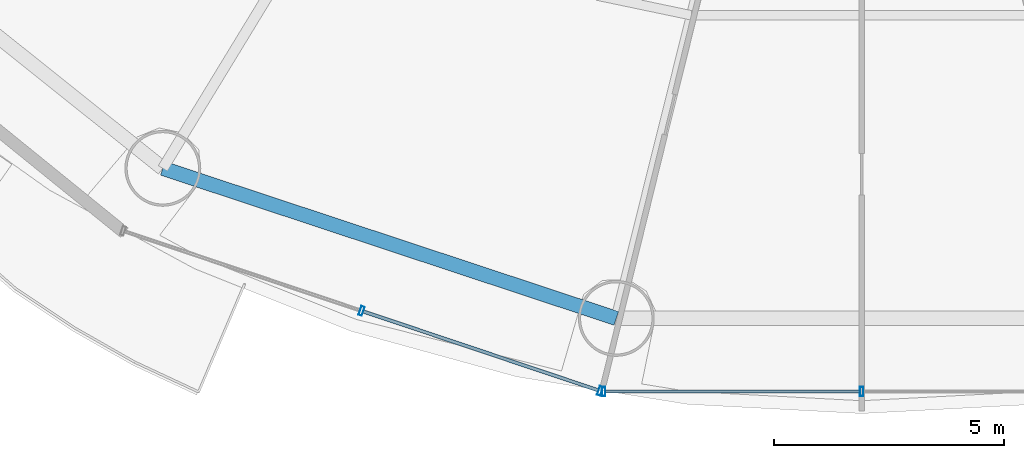
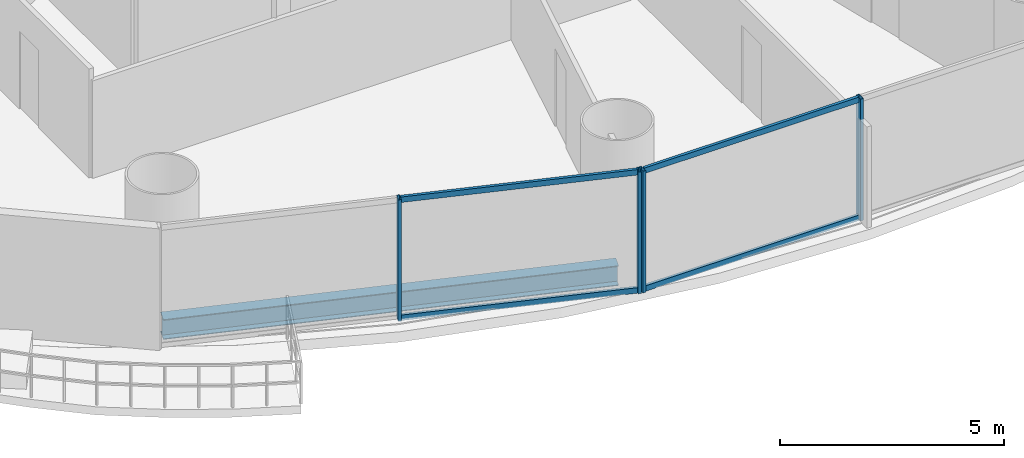
# One storey, part 5 of 30: 8 members, 1 beam, 2 elements without a shape of their own.
"""IFC4 building model written with IfcOpenShell, lengths in metres."""

import ifcopenshell
import ifcopenshell.guid

model = None  # the IFC model being written
_history = None  # IfcOwnerHistory: only IFC2X3 demands one
_inside = {}  # id of a spatial element -> (the spatial element, [elements in it])
_under = {}  # id of a project, library or spatial element -> (it, [spatial elements below it])
_declared = {}  # id of a project -> (the project, [libraries it declares])
_typed = {}  # id of a type object -> (the type object, [elements of that type])
_made_of = {}  # id of a material, layer set ... -> (it, [elements and type objects made of it])


def new_model(schema):
    """Start an empty IFC model of exactly this schema.

    Asked for "IFC4X3", IfcOpenShell would pick the latest addendum, in which some entities
    have other attributes; the version numbers below select the first issue.
    IFC2X3 requires an IfcOwnerHistory on every rooted entity: one is made here for all.
    """
    global model, _history
    if schema == "IFC4X3":
        model = ifcopenshell.file(schema_version=(4, 3, 0, 0))
    else:
        model = ifcopenshell.file(schema=schema)
    _inside.clear()
    _under.clear()
    _declared.clear()
    _typed.clear()
    _made_of.clear()
    _history = None
    if model.schema == "IFC2X3":
        org = make("IfcOrganization", Name="unknown")
        user = make(
            "IfcPersonAndOrganization",
            ThePerson=make("IfcPerson", FamilyName="unknown"),
            TheOrganization=org,
        )
        app = make(
            "IfcApplication",
            ApplicationDeveloper=org,
            Version="unknown",
            ApplicationFullName="unknown",
            ApplicationIdentifier="unknown",
        )
        _history = make(
            "IfcOwnerHistory",
            OwningUser=user,
            OwningApplication=app,
            ChangeAction="ADDED",
            CreationDate=0,
        )
    return model


def make(cls, **values):
    """One entity of the class cls with the attributes given. An attribute that is None is left unset."""
    return model.create_entity(
        cls, **{name: value for name, value in values.items() if value is not None}
    )


def rooted(cls, **values):
    """An entity with a GlobalId (a new one), such as an element, a storey or a relation."""
    return make(cls, GlobalId=ifcopenshell.guid.new(), OwnerHistory=_history, **values)


def si_unit(unit_type, name, prefix=None):
    """IfcSIUnit, for example si_unit("LENGTHUNIT", "METRE", prefix="MILLI")."""
    return make("IfcSIUnit", UnitType=unit_type, Prefix=prefix, Name=name)


def assignment(units):
    """IfcUnitAssignment: the units of a project."""
    return None if units is None else make("IfcUnitAssignment", Units=units)


def point(xyz):
    """IfcCartesianPoint."""
    return None if xyz is None else make("IfcCartesianPoint", Coordinates=xyz)


def direction(xyz):
    """IfcDirection."""
    return None if xyz is None else make("IfcDirection", DirectionRatios=xyz)


def frame(location, z_axis=None, x_axis=None):
    """IfcAxis2Placement3D, a coordinate frame: its origin and axes. An axis left out is left unset."""
    return make(
        "IfcAxis2Placement3D",
        Location=point(location),
        Axis=direction(z_axis),
        RefDirection=direction(x_axis),
    )


def frame_2d(location, x_axis=None):
    """IfcAxis2Placement2D, a coordinate frame in the plane: its origin and x axis."""
    return make(
        "IfcAxis2Placement2D", Location=point(location), RefDirection=direction(x_axis)
    )


def origin():
    """The frame at (0, 0, 0) with its axes left unset."""
    return frame((0.0, 0.0, 0.0))


def origin_2d():
    """The frame at (0, 0) in the plane with its x axis left unset."""
    return frame_2d((0.0, 0.0))


def place(relative_to, where):
    """IfcLocalPlacement: puts the frame where relative to a parent placement (None: the world)."""
    return make(
        "IfcLocalPlacement", PlacementRelTo=relative_to, RelativePlacement=where
    )


def context(
    kind, dimensions, precision=None, world=None, true_north=None, identifier=None
):
    """IfcGeometricRepresentationContext, for example the 3D "Model" context."""
    return make(
        "IfcGeometricRepresentationContext",
        ContextIdentifier=identifier,
        ContextType=kind,
        CoordinateSpaceDimension=dimensions,
        Precision=precision,
        WorldCoordinateSystem=world,
        TrueNorth=true_north,
    )


def subcontext(parent, identifier, kind, view, scale=None):
    """IfcGeometricRepresentationSubContext, for example "Body" below "Model"."""
    return make(
        "IfcGeometricRepresentationSubContext",
        ContextIdentifier=identifier,
        ContextType=kind,
        ParentContext=parent,
        TargetScale=scale,
        TargetView=view,
    )


def project(units=None, contexts=None):
    """IfcProject with its units and contexts."""
    return rooted(
        "IfcProject",
        Name="project",
        RepresentationContexts=contexts,
        UnitsInContext=assignment(units),
    )


def spatial(cls, under=None, at=None, **own):
    """A site, building, storey or space (cls), placed at a placement, below another one or the project."""
    s = rooted(cls, ObjectPlacement=at, **own)
    if under is not None:
        _under.setdefault(under.id(), (under, []))[1].append(s)
    return s


def profile(cls, at=None, kind="AREA", **sizes):
    """A parametric profile (cls). Its sizes go by their IFC names, for example OverallWidth=200.0."""
    return make(cls, ProfileType=kind, Position=at, **sizes)


def hollow_rectangle(**sizes):
    """IfcRectangleHollowProfileDef."""
    return profile("IfcRectangleHollowProfileDef", **sizes)


def i_section(**sizes):
    """IfcIShapeProfileDef."""
    return profile("IfcIShapeProfileDef", **sizes)


def extrude(swept, where, along, depth):
    """IfcExtrudedAreaSolid: the profile swept, set in the frame where, extruded along a direction by depth."""
    return make(
        "IfcExtrudedAreaSolid",
        SweptArea=swept,
        Position=where,
        ExtrudedDirection=direction(along),
        Depth=depth,
    )


def shape(context_of_items, identifier, shape_type, items):
    """IfcShapeRepresentation: the items that make up one representation, for example the "Body"."""
    return make(
        "IfcShapeRepresentation",
        ContextOfItems=context_of_items,
        RepresentationIdentifier=identifier,
        RepresentationType=shape_type,
        Items=items,
    )


def source(mapping_origin, context_of_items, identifier, shape_type, items):
    """IfcRepresentationMap: a shape defined once, which mapped items show again and again."""
    return make(
        "IfcRepresentationMap",
        MappingOrigin=mapping_origin,
        MappedRepresentation=shape(context_of_items, identifier, shape_type, items),
    )


def transform(
    local_origin,
    x_axis=None,
    y_axis=None,
    z_axis=None,
    scale=None,
    scale2=None,
    scale3=None,
    uniform=True,
):
    """IfcCartesianTransformationOperator3D, or its non-uniform kind. x_axis, y_axis, z_axis: its Axis1, 2, 3."""
    if uniform:
        return make(
            "IfcCartesianTransformationOperator3D",
            Axis1=direction(x_axis),
            Axis2=direction(y_axis),
            LocalOrigin=point(local_origin),
            Scale=scale,
            Axis3=direction(z_axis),
        )
    return make(
        "IfcCartesianTransformationOperator3DnonUniform",
        Axis1=direction(x_axis),
        Axis2=direction(y_axis),
        LocalOrigin=point(local_origin),
        Scale=scale,
        Axis3=direction(z_axis),
        Scale2=scale2,
        Scale3=scale3,
    )


def mapped(mapping_source, mapping_target):
    """IfcMappedItem: shows the shape of a source again, moved by a transform."""
    return make(
        "IfcMappedItem", MappingSource=mapping_source, MappingTarget=mapping_target
    )


def material(Name=None, Category=None):
    """IfcMaterial."""
    return make("IfcMaterial", Name=Name, Category=Category)


def material_profile(
    of_material, cross_section, Name=None, Category=None, Priority=None
):
    """IfcMaterialProfile: a cross section and its material."""
    return make(
        "IfcMaterialProfile",
        Name=Name,
        Material=of_material,
        Profile=cross_section,
        Priority=Priority,
        Category=Category,
    )


def profile_set(profiles, Name=None, composite=None):
    """IfcMaterialProfileSet."""
    return make(
        "IfcMaterialProfileSet",
        Name=Name,
        MaterialProfiles=profiles,
        CompositeProfile=composite,
    )


def made_of(thing, what):
    """Note that an element or type object is made of a material, layer set ...; save() writes the relation."""
    if what is not None:
        _made_of.setdefault(what.id(), (what, []))[1].append(thing)
    return thing


def type_object(cls, material=None, **own):
    """A type object (cls), such as IfcWallType, which elements share."""
    return made_of(rooted(cls, **own), material)


def element(
    cls,
    number,
    at=None,
    inside=None,
    cuts=None,
    type_object=None,
    material=None,
    context=None,
    identifier="Body",
    shape_type=None,
    held_by="IfcProductDefinitionShape",
    body=None,
    shapes=None,
    **own,
):
    """One element of the class cls, such as IfcWall. Its Tag is "e" and its number.

    at: its placement. inside: the storey or other place that contains it. cuts: it is an
    opening in that element (IfcRelVoidsElement). A single representation is given by context,
    identifier, shape_type and body (its items); several are given by shapes. held_by: the class
    of the entity that holds the representations. save() writes the other relations.
    """
    e = rooted(cls, Tag="e%d" % number, ObjectPlacement=at, **own)
    if body is not None:
        shapes = [shape(context, identifier, shape_type, body)]
    if shapes is not None:
        e.Representation = make(held_by, Representations=shapes)
    if inside is not None:
        _inside.setdefault(inside.id(), (inside, []))[1].append(e)
    if cuts is not None:
        rooted(
            "IfcRelVoidsElement", RelatingBuildingElement=cuts, RelatedOpeningElement=e
        )
    if type_object is not None:
        _typed.setdefault(type_object.id(), (type_object, []))[1].append(e)
    return made_of(e, material)


def aggregate(whole, parts):
    """IfcRelAggregates: a whole, such as a stair, and the parts it consists of."""
    return rooted("IfcRelAggregates", RelatingObject=whole, RelatedObjects=parts)


def save(model, path):
    """Write the relations noted so far, then the file.

    IfcRelAggregates (storeys below a building ...), IfcRelContainedInSpatialStructure (elements
    in a storey), IfcRelDefinesByType, IfcRelAssociatesMaterial and IfcRelDeclares: one each for
    every whole, place, type object, material and project.
    """
    for whole, parts in _under.values():
        aggregate(whole, parts)
    for where, things in _inside.values():
        rooted(
            "IfcRelContainedInSpatialStructure",
            RelatedElements=things,
            RelatingStructure=where,
        )
    for kind, things in _typed.values():
        rooted("IfcRelDefinesByType", RelatedObjects=things, RelatingType=kind)
    for what, things in _made_of.values():
        rooted("IfcRelAssociatesMaterial", RelatedObjects=things, RelatingMaterial=what)
    for by, libraries in _declared.values():
        rooted("IfcRelDeclares", RelatingContext=by, RelatedDefinitions=libraries)
    model.write(path)


model = new_model("IFC4")

# Units and contexts
model_context = context("Model", 3, precision=1e-05, world=origin(), true_north=direction((-0.2419218956, 0.970295726276)))
body_context = subcontext(model_context, "Body", "Model", "MODEL_VIEW")
ifc_project = project(units=[si_unit("LENGTHUNIT", "METRE"), si_unit("AREAUNIT", "SQUARE_METRE"), si_unit("VOLUMEUNIT", "CUBIC_METRE"), si_unit("PLANEANGLEUNIT", "RADIAN"), si_unit("MASSUNIT", "GRAM", prefix="KILO")], contexts=[model_context])

# Site, building, storey
site_placement = place(None, origin())
site = spatial("IfcSite", under=ifc_project, at=site_placement, CompositionType="ELEMENT")
building_placement = place(site_placement, origin())
building = spatial("IfcBuilding", under=site, at=building_placement, Name="Cobrevalo Terracotta Tower", CompositionType="ELEMENT")
storey_placement = place(building_placement, frame((0.0, 0.0, 63.60009765625)))
storey = spatial("IfcBuildingStorey", under=building, at=storey_placement, Name="L16", CompositionType="ELEMENT", Elevation=63.60009765625)

# Beam
ifc_material_1 = material(Name="Steel S355", Category="steel")
ifc_material_profile_1 = material_profile(ifc_material_1, i_section(OverallWidth=0.31201171875, OverallDepth=0.54296875, WebThickness=0.0126953125, FlangeThickness=0.020263671875, at=origin_2d()), Name="W 530x150")
ifc_profile_set_1 = profile_set([ifc_material_profile_1], Name="Steel S355")
beam_type = type_object("IfcBeamType", Name="Structural Spandrel W 530x150 (Steel S355)", PredefinedType="SPANDREL", material=ifc_profile_set_1)
beam_placement = place(storey_placement, frame((22.80517578125, 8.63232421875, -0.551513671875), z_axis=(0.949372202648, -0.314153498848, 0.0), x_axis=(0.314153498848, 0.949372202648, 0.0)))
element("IfcBeam", 1, at=beam_placement, inside=storey, type_object=beam_type, Name="L16 perimeter ring spandrel 11", PredefinedType="SPANDREL", context=body_context, shape_type="SweptSolid", body=[
    extrude(i_section(OverallWidth=0.31201171875, OverallDepth=0.54296875, WebThickness=0.0126953125, FlangeThickness=0.020263671875, at=origin_2d()), origin(), (0.0, 0.0, 1.0), 10.385009765625),
])

# Curtain wall, members
ifc_material_2 = material(Name="Anodized aluminium", Category="aluminium")
curtain_wall_type = type_object("IfcCurtainWallType", Name="Lower-tower unitised acoustic low-E curtain wall CW-U1", PredefinedType="NOTDEFINED", material=ifc_material_2)
curtain_wall_1_placement = place(storey_placement, origin())
curtain_wall_1 = element("IfcCurtainWall", 2, at=curtain_wall_1_placement, inside=storey, type_object=curtain_wall_type, Name="L16 curtain wall CW-L16-S11", PredefinedType="NOTDEFINED")
ifc_material_profile_2 = material_profile(ifc_material_2, hollow_rectangle(XDim=0.074951171875, YDim=0.14990234375, WallThickness=0.00439453125, at=origin_2d()), Name="CWT 75x150")
ifc_profile_set_2 = profile_set([ifc_material_profile_2], Name="Anodized aluminium")
member_type_1 = type_object("IfcMemberType", Name="Tower unitised aluminium transom 75x150", PredefinedType="USERDEFINED", material=ifc_profile_set_2)
shared_shape_1 = source(origin(), body_context, "Body", "SweptSolid", [
    extrude(hollow_rectangle(XDim=0.074951171875, YDim=0.14990234375, WallThickness=0.00439453125, at=origin_2d()), origin(), (0.0, 0.0, 1.0), 5.387939453125),
])
member_1_placement = place(storey_placement, frame((27.16455078125, 5.5205078125, 0.0498046875), z_axis=(0.94804244582, -0.318143868278, 0.0), x_axis=(0.318143868278, 0.94804244582, 0.0)))
member_1 = element("IfcMember", 3, at=member_1_placement, type_object=member_type_1, Name="CW-L16-S11 transom B02-T1", ObjectType="TRANSOM", PredefinedType="USERDEFINED", context=body_context, shape_type="MappedRepresentation", body=[
    mapped(shared_shape_1, transform((0.0, 0.0, 0.0), scale=1.0)),
])
member_2_placement = place(storey_placement, frame((27.16455078125, 5.5205078125, 3.27001953125), z_axis=(0.94804244582, -0.318143868278, 0.0), x_axis=(0.318143868278, 0.94804244582, 0.0)))
member_2 = element("IfcMember", 4, at=member_2_placement, type_object=member_type_1, Name="CW-L16-S11 transom B02-T2", ObjectType="TRANSOM", PredefinedType="USERDEFINED", context=body_context, shape_type="MappedRepresentation", body=[
    mapped(shared_shape_1, transform((0.0, 0.0, 0.0), scale=1.0)),
])

curtain_wall_2_placement = place(storey_placement, origin())
curtain_wall_2 = element("IfcCurtainWall", 5, at=curtain_wall_2_placement, inside=storey, type_object=curtain_wall_type, Name="L16 curtain wall CW-L16-S12", PredefinedType="NOTDEFINED")
shared_shape_2 = source(origin(), body_context, "Body", "SweptSolid", [
    extrude(hollow_rectangle(XDim=0.074951171875, YDim=0.14990234375, WallThickness=0.00439453125, at=origin_2d()), origin(), (0.0, 0.0, 1.0), 5.53173828125),
])
member_3_placement = place(storey_placement, frame((32.42822265625, 3.781005859375, 0.0498046875), z_axis=(1.0, 0.0, 0.0), x_axis=(0.0, 1.0, 0.0)))
member_3 = element("IfcMember", 6, at=member_3_placement, type_object=member_type_1, Name="CW-L16-S12 transom B01-T1", ObjectType="TRANSOM", PredefinedType="USERDEFINED", context=body_context, shape_type="MappedRepresentation", body=[
    mapped(shared_shape_2, transform((0.0, 0.0, 0.0), scale=1.0)),
])
member_4_placement = place(storey_placement, frame((32.42822265625, 3.781005859375, 3.27001953125), z_axis=(1.0, 0.0, 0.0), x_axis=(0.0, 1.0, 0.0)))
member_4 = element("IfcMember", 7, at=member_4_placement, type_object=member_type_1, Name="CW-L16-S12 transom B01-T2", ObjectType="TRANSOM", PredefinedType="USERDEFINED", context=body_context, shape_type="MappedRepresentation", body=[
    mapped(shared_shape_2, transform((0.0, 0.0, 0.0), scale=1.0)),
])

# Member
ifc_material_profile_3 = material_profile(ifc_material_2, hollow_rectangle(XDim=0.074951171875, YDim=0.199951171875, WallThickness=0.0048828125, at=origin_2d()), Name="CWM 75x200")
ifc_profile_set_3 = profile_set([ifc_material_profile_3], Name="Anodized aluminium")
member_type_2 = type_object("IfcMemberType", Name="Lower/mid tower unitised mullion 75x200", PredefinedType="MULLION", material=ifc_profile_set_3)
shared_shape_3 = source(origin(), body_context, "Body", "SweptSolid", [
    extrude(hollow_rectangle(XDim=0.074951171875, YDim=0.199951171875, WallThickness=0.0048828125, at=origin_2d()), origin(), (0.0, 0.0, 1.0), 3.31982421875),
])
member_5_placement = place(storey_placement, frame((27.126708984375, 5.533203125, 0.0), z_axis=(0.0, 0.0, 1.0), x_axis=(0.948046393597, -0.318132103987, 0.0)))
member_5 = element("IfcMember", 8, at=member_5_placement, type_object=member_type_2, Name="CW-L16-S11 vertical mullion 02", PredefinedType="MULLION", context=body_context, shape_type="MappedRepresentation", body=[
    mapped(shared_shape_3, transform((0.0, 0.0, 0.0), scale=1.0)),
])

member_6_placement = place(storey_placement, frame((32.310302734375, 3.793701171875, 0.0), z_axis=(0.0, 0.0, 1.0), x_axis=(0.948046393597, -0.318132103987, 0.0)))
member_6 = element("IfcMember", 9, at=member_6_placement, type_object=member_type_2, Name="CW-L16-S11 vertical mullion 03", PredefinedType="MULLION", context=body_context, shape_type="MappedRepresentation", body=[
    mapped(shared_shape_3, transform((0.0, 0.0, 0.0), scale=1.0)),
])

aggregate(curtain_wall_1, [member_5, member_6, member_1, member_2])

member_7_placement = place(storey_placement, frame((32.38818359375, 3.781005859375, 0.0), z_axis=(0.0, 0.0, 1.0), x_axis=(1.0, 0.0, 0.0)))
member_7 = element("IfcMember", 10, at=member_7_placement, type_object=member_type_2, Name="CW-L16-S12 vertical mullion 01", PredefinedType="MULLION", context=body_context, shape_type="MappedRepresentation", body=[
    mapped(shared_shape_3, transform((0.0, 0.0, 0.0), scale=1.0)),
])

member_8_placement = place(storey_placement, frame((38.0, 3.781005859375, 0.0), z_axis=(0.0, 0.0, 1.0), x_axis=(1.0, 0.0, 0.0)))
member_8 = element("IfcMember", 11, at=member_8_placement, type_object=member_type_2, Name="CW-L16-S12 vertical mullion 02", PredefinedType="MULLION", context=body_context, shape_type="MappedRepresentation", body=[
    mapped(shared_shape_3, transform((0.0, 0.0, 0.0), scale=1.0)),
])

aggregate(curtain_wall_2, [member_7, member_8, member_3, member_4])

save(model, "model.ifc")
